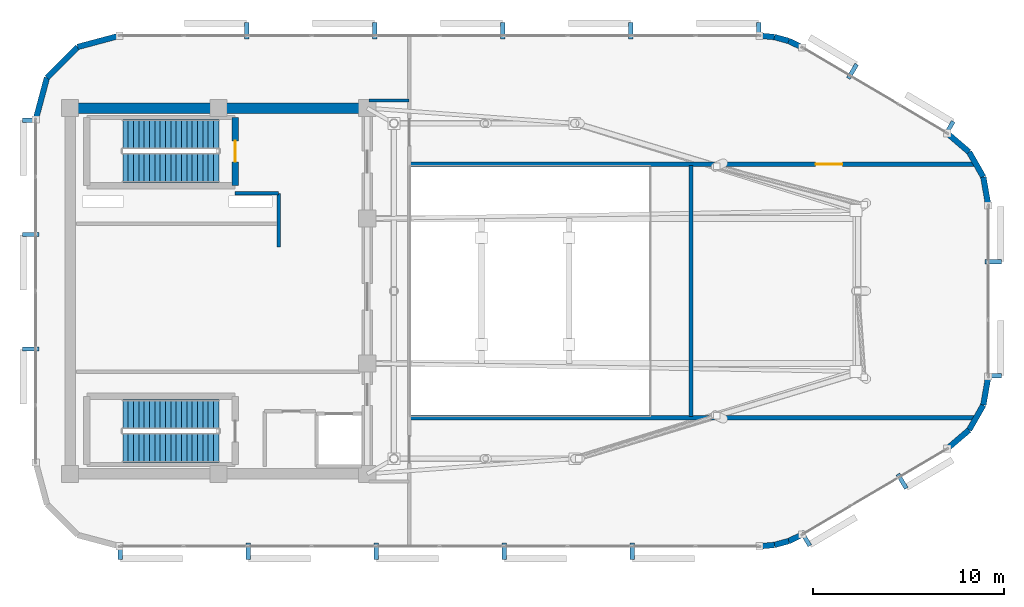
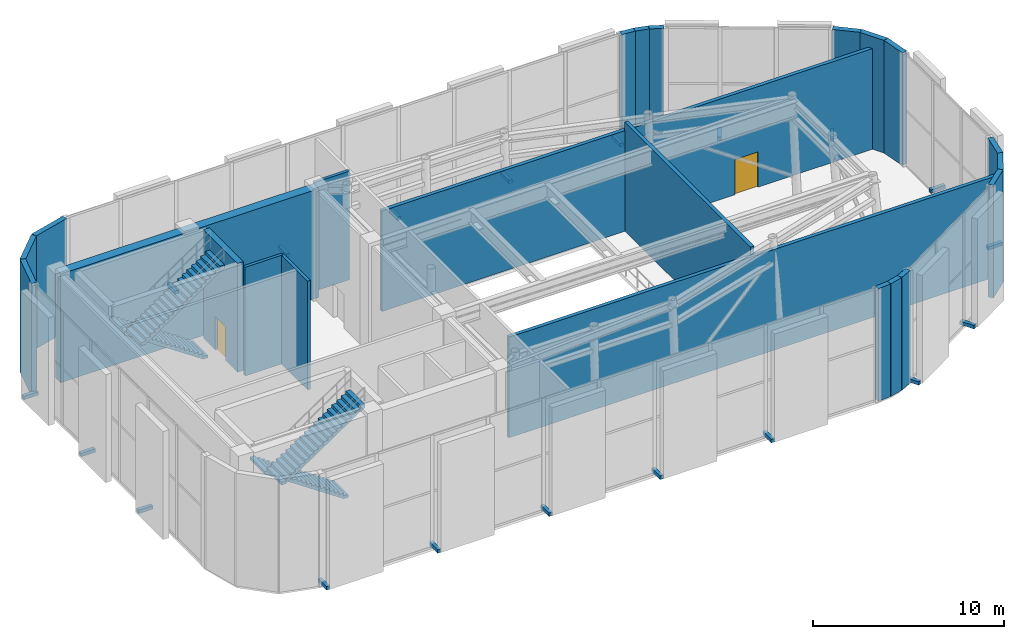
# One storey, part 18 of 20: 23 walls, 19 discrete accessories, 4 stair flights, 2 doors, 2 openings, 2 elements without a shape of their own.
"""IFC4 building model written with IfcOpenShell, lengths in metres."""

from ifc_helpers import new_model, si_unit, direction, frame, frame_2d, origin, origin_2d, place, context, subcontext, project, spatial, polyline, rectangle, outline, extrude, material, layer, layer_set, type_object, element, fill, aggregate, save


model = new_model("IFC4")

# Units and contexts
model_context = context("Model", 3, precision=1e-05, world=origin(), true_north=direction((0.0, 1.0)))
body_context = subcontext(model_context, "Body", "Model", "MODEL_VIEW")
ifc_project = project(units=[si_unit("LENGTHUNIT", "METRE"), si_unit("AREAUNIT", "SQUARE_METRE"), si_unit("VOLUMEUNIT", "CUBIC_METRE"), si_unit("PLANEANGLEUNIT", "RADIAN"), si_unit("MASSUNIT", "GRAM", prefix="KILO")], contexts=[model_context])

# Site, building, storey
site_placement = place(None, origin())
site = spatial("IfcSite", under=ifc_project, at=site_placement, CompositionType="ELEMENT")
building_placement = place(site_placement, origin())
building = spatial("IfcBuilding", under=site, at=building_placement, Name="An Khanh Terracotta Commons", CompositionType="ELEMENT")
storey_placement = place(building_placement, frame((0.0, 0.0, 308.0)))
storey = spatial("IfcBuildingStorey", under=building, at=storey_placement, Name="L79 Crown Damper Gallery", CompositionType="ELEMENT", Elevation=308.0)

# Walls
ifc_material_1 = material(Name="Concrete C50/60", Category="concrete")
ifc_layer_1 = layer(ifc_material_1, 0.550048828125, Name="Concrete C50/60")
ifc_layer_set_1 = layer_set([ifc_layer_1], Name="Concrete C50/60")
wall_type_1 = type_object("IfcWallType", Name="WALL-CORE-550", PredefinedType="SHEAR", material=ifc_layer_set_1)
wall_1_placement = place(storey_placement, frame((21.60009765625, 33.60009765625, 0.0), z_axis=(0.0, 0.0, 1.0), x_axis=(1.0, 0.0, 0.0)))
element("IfcWall", 1, at=wall_1_placement, inside=storey, type_object=wall_type_1, Name="L79 Crown Damper Gallery Core Wall CWALL-L79 Crown Damper Gallery-N", PredefinedType="SHEAR", context=body_context, shape_type="SweptSolid", body=[
    extrude(rectangle(XDim=15.599853515625, YDim=0.550048828125, at=frame_2d((7.7998046875, 0.0))), origin(), (0.0, 0.0, 1.0), 6.949951171875),
])
ifc_material_2 = material(Name="Fire-Rated Gypsum Board on Steel Stud", Category="steel")
ifc_layer_2 = layer(ifc_material_2, 0.179931640625, Name="Fire-Rated Gypsum Board on Steel Stud")
ifc_layer_set_2 = layer_set([ifc_layer_2], Name="Fire-Rated Gypsum Board on Steel Stud")
wall_type_2 = type_object("IfcWallType", Name="WALL-CORR-180", PredefinedType="PARTITIONING", material=ifc_layer_set_2)
wall_2_placement = place(storey_placement, frame((30.27001953125, 29.1201171875, 0.0), z_axis=(0.0, 0.0, 1.0), x_axis=(1.0, 0.0, 0.0)))
element("IfcWall", 2, at=wall_2_placement, inside=storey, type_object=wall_type_2, Name="L79 Crown Damper Gallery Core Wall FFLW-L79 Crown Damper Gallery-S", PredefinedType="PARTITIONING", context=body_context, shape_type="SweptSolid", body=[
    extrude(rectangle(XDim=2.280029296875, YDim=0.179931640625, at=frame_2d((1.14013671875, 0.0))), origin(), (0.0, 0.0, 1.0), 6.949951171875),
])
wall_3_placement = place(storey_placement, frame((32.550048828125, 26.300048828125, 0.0), z_axis=(0.0, 0.0, 1.0), x_axis=(0.0, 1.0, 0.0)))
element("IfcWall", 3, at=wall_3_placement, inside=storey, type_object=wall_type_2, Name="L79 Crown Damper Gallery Core Wall RSRW-L79 Crown Damper Gallery-E", PredefinedType="PARTITIONING", context=body_context, shape_type="SweptSolid", body=[
    extrude(rectangle(XDim=2.820068359375, YDim=0.179931640625, at=frame_2d((1.41015625, 0.0))), origin(), (0.0, 0.0, 1.0), 6.949951171875),
])
wall_4_placement = place(storey_placement, frame((37.300048828125, 34.0, 0.0), z_axis=(0.0, 0.0, 1.0), x_axis=(1.0, 0.0, 0.0)))
element("IfcWall", 4, at=wall_4_placement, inside=storey, type_object=wall_type_2, Name="L79 Crown Damper Gallery Interior Partition IW-L79 Crown Damper Gallery-E004", PredefinedType="PARTITIONING", context=body_context, shape_type="SweptSolid", body=[
    extrude(rectangle(XDim=2.099853515625, YDim=0.179931640625, at=frame_2d((1.0498046875, 0.0))), origin(), (0.0, 0.0, 1.0), 6.949951171875),
])
ifc_material_3 = material(Name="Precast concrete C40/50", Category="concrete")
ifc_layer_3 = layer(ifc_material_3, 0.300048828125, Name="Precast concrete C40/50")
ifc_layer_set_3 = layer_set([ifc_layer_3], Name="Precast concrete C40/50")
wall_type_3 = type_object("IfcWallType", Name="WALL-EXT-300", PredefinedType="SOLIDWALL", material=ifc_layer_set_3)
wall_5_placement = place(storey_placement, frame((57.7939453125, 10.60009765625, 0.0), z_axis=(0.0, 0.0, 1.0), x_axis=(0.996027356167, 0.089047772386, 0.0)))
element("IfcWall", 5, at=wall_5_placement, inside=storey, type_object=wall_type_3, Name="L79 Crown Damper Gallery Crown Facet Corner Closure 5", PredefinedType="SOLIDWALL", context=body_context, shape_type="SweptSolid", body=[
    extrude(rectangle(XDim=0.7841796875, YDim=0.300048828125, at=frame_2d((0.39208984375, 0.0))), origin(), (0.0, 0.0, 1.0), 7.199951171875),
])
wall_6_placement = place(storey_placement, frame((58.574951171875, 10.669921875, 0.0), z_axis=(0.0, 0.0, 1.0), x_axis=(0.964410376476, 0.264409957728, 0.0)))
element("IfcWall", 6, at=wall_6_placement, inside=storey, type_object=wall_type_3, Name="L79 Crown Damper Gallery Crown Facet Corner Closure 6", PredefinedType="SOLIDWALL", context=body_context, shape_type="SweptSolid", body=[
    extrude(rectangle(XDim=0.782958984375, YDim=0.300048828125, at=frame_2d((0.3916015625, 0.0))), origin(), (0.0, 0.0, 1.0), 7.199951171875),
])
wall_7_placement = place(storey_placement, frame((59.330078125, 10.876953125, 0.0), z_axis=(0.0, 0.0, 1.0), x_axis=(0.902139493314, 0.43144447453, 0.0)))
element("IfcWall", 7, at=wall_7_placement, inside=storey, type_object=wall_type_3, Name="L79 Crown Damper Gallery Crown Facet Corner Closure 7", PredefinedType="SOLIDWALL", context=body_context, shape_type="SweptSolid", body=[
    extrude(rectangle(XDim=0.78369140625, YDim=0.300048828125, at=frame_2d((0.391845703125, 0.0))), origin(), (0.0, 0.0, 1.0), 7.199951171875),
])
wall_8_placement = place(storey_placement, frame((67.64306640625, 15.721923828125, 0.0), z_axis=(0.0, 0.0, 1.0), x_axis=(0.76011105051, 0.649793190863, 0.0)))
element("IfcWall", 8, at=wall_8_placement, inside=storey, type_object=wall_type_3, Name="L79 Crown Damper Gallery Crown Facet Corner Closure 9", PredefinedType="SOLIDWALL", context=body_context, shape_type="SweptSolid", body=[
    extrude(rectangle(XDim=1.511474609375, YDim=0.300048828125, at=frame_2d((0.755859375, 0.0))), origin(), (0.0, 0.0, 1.0), 7.199951171875),
])
wall_9_placement = place(storey_placement, frame((68.7919921875, 16.7041015625, 0.0), z_axis=(0.0, 0.0, 1.0), x_axis=(0.494747166685, 0.869036961847, 0.0)))
element("IfcWall", 9, at=wall_9_placement, inside=storey, type_object=wall_type_3, Name="L79 Crown Damper Gallery Crown Facet Corner Closure 10", PredefinedType="SOLIDWALL", context=body_context, shape_type="SweptSolid", body=[
    extrude(rectangle(XDim=1.511962890625, YDim=0.300048828125, at=frame_2d((0.755859375, 0.0))), origin(), (0.0, 0.0, 1.0), 7.199951171875),
])
for number, where, z_axis, x_axis, name in (
    (10, (69.5400390625, 18.01806640625, 0.0), (0.0, 0.0, 1.0), (0.172015950979, 0.985094164336, 0.0), "L79 Crown Damper Gallery Crown Facet Corner Closure 11"),
    (11, (69.800048828125, 28.492919921875, 0.0), (0.0, 0.0, 1.0), (-0.172015950979, 0.985094164336, 0.0), "L79 Crown Damper Gallery Crown Facet Corner Closure 13"),
):
    element("IfcWall", number, at=place(storey_placement, frame(where, z_axis=z_axis, x_axis=x_axis)), inside=storey, type_object=wall_type_3, Name=name, PredefinedType="SOLIDWALL", context=body_context, shape_type="SweptSolid", body=[
        extrude(rectangle(XDim=1.511474609375, YDim=0.300048828125, at=frame_2d((0.755859375, 0.0))), origin(), (0.0, 0.0, 1.0), 7.199951171875),
    ])
wall_10_placement = place(storey_placement, frame((69.5400390625, 29.98193359375, 0.0), z_axis=(0.0, 0.0, 1.0), x_axis=(-0.494747166685, 0.869036961847, 0.0)))
element("IfcWall", 12, at=wall_10_placement, inside=storey, type_object=wall_type_3, Name="L79 Crown Damper Gallery Crown Facet Corner Closure 14", PredefinedType="SOLIDWALL", context=body_context, shape_type="SweptSolid", body=[
    extrude(rectangle(XDim=1.511962890625, YDim=0.300048828125, at=frame_2d((0.755859375, 0.0))), origin(), (0.0, 0.0, 1.0), 7.199951171875),
])
wall_11_placement = place(storey_placement, frame((68.7919921875, 31.2958984375, 0.0), z_axis=(0.0, 0.0, 1.0), x_axis=(-0.76011105051, 0.649793190863, 0.0)))
element("IfcWall", 13, at=wall_11_placement, inside=storey, type_object=wall_type_3, Name="L79 Crown Damper Gallery Crown Facet Corner Closure 15", PredefinedType="SOLIDWALL", context=body_context, shape_type="SweptSolid", body=[
    extrude(rectangle(XDim=1.511474609375, YDim=0.300048828125, at=frame_2d((0.755859375, 0.0))), origin(), (0.0, 0.0, 1.0), 7.199951171875),
])
wall_12_placement = place(storey_placement, frame((60.037109375, 36.784912109375, 0.0), z_axis=(0.0, 0.0, 1.0), x_axis=(-0.902139493314, 0.43144447453, 0.0)))
element("IfcWall", 14, at=wall_12_placement, inside=storey, type_object=wall_type_3, Name="L79 Crown Damper Gallery Crown Facet Corner Closure 17", PredefinedType="SOLIDWALL", context=body_context, shape_type="SweptSolid", body=[
    extrude(rectangle(XDim=0.78369140625, YDim=0.300048828125, at=frame_2d((0.391845703125, 0.0))), origin(), (0.0, 0.0, 1.0), 7.199951171875),
])
wall_13_placement = place(storey_placement, frame((59.330078125, 37.123046875, 0.0), z_axis=(0.0, 0.0, 1.0), x_axis=(-0.964410376476, 0.264409957728, 0.0)))
element("IfcWall", 15, at=wall_13_placement, inside=storey, type_object=wall_type_3, Name="L79 Crown Damper Gallery Crown Facet Corner Closure 18", PredefinedType="SOLIDWALL", context=body_context, shape_type="SweptSolid", body=[
    extrude(rectangle(XDim=0.782958984375, YDim=0.300048828125, at=frame_2d((0.3916015625, 0.0))), origin(), (0.0, 0.0, 1.0), 7.199951171875),
])
wall_14_placement = place(storey_placement, frame((58.574951171875, 37.330078125, 0.0), z_axis=(0.0, 0.0, 1.0), x_axis=(-0.996027356167, 0.089047772386, 0.0)))
element("IfcWall", 16, at=wall_14_placement, inside=storey, type_object=wall_type_3, Name="L79 Crown Damper Gallery Crown Facet Corner Closure 19", PredefinedType="SOLIDWALL", context=body_context, shape_type="SweptSolid", body=[
    extrude(rectangle(XDim=0.7841796875, YDim=0.300048828125, at=frame_2d((0.39208984375, 0.0))), origin(), (0.0, 0.0, 1.0), 7.199951171875),
])
wall_15_placement = place(storey_placement, frame((24.199951171875, 37.39990234375, 0.0), z_axis=(0.0, 0.0, 1.0), x_axis=(-0.965992531735, -0.258569968543, 0.0)))
element("IfcWall", 17, at=wall_15_placement, inside=storey, type_object=wall_type_3, Name="L79 Crown Damper Gallery Crown Facet Corner Closure 21", PredefinedType="SOLIDWALL", context=body_context, shape_type="SweptSolid", body=[
    extrude(rectangle(XDim=2.27734375, YDim=0.300048828125, at=frame_2d((1.138671875, 0.0))), origin(), (0.0, 0.0, 1.0), 7.199951171875),
])
wall_16_placement = place(storey_placement, frame((22.0, 36.81103515625, 0.0), z_axis=(0.0, 0.0, 1.0), x_axis=(-0.707106781187, -0.707106781187, 0.0)))
element("IfcWall", 18, at=wall_16_placement, inside=storey, type_object=wall_type_3, Name="L79 Crown Damper Gallery Crown Facet Corner Closure 22", PredefinedType="SOLIDWALL", context=body_context, shape_type="SweptSolid", body=[
    extrude(rectangle(XDim=2.2783203125, YDim=0.300048828125, at=frame_2d((1.13916015625, 0.0))), origin(), (0.0, 0.0, 1.0), 7.199951171875),
])
wall_17_placement = place(storey_placement, frame((20.388916015625, 35.199951171875, 0.0), z_axis=(0.0, 0.0, 1.0), x_axis=(-0.258569968543, -0.965992531735, 0.0)))
element("IfcWall", 19, at=wall_17_placement, inside=storey, type_object=wall_type_3, Name="L79 Crown Damper Gallery Crown Facet Corner Closure 23", PredefinedType="SOLIDWALL", context=body_context, shape_type="SweptSolid", body=[
    extrude(rectangle(XDim=2.27734375, YDim=0.300048828125, at=frame_2d((1.138671875, 0.0))), origin(), (0.0, 0.0, 1.0), 7.199951171875),
])
ifc_material_4 = material(Name="Acoustic Double-Stud Gypsum and Mineral Wool")
ifc_layer_4 = layer(ifc_material_4, 0.219970703125, Name="Acoustic Double-Stud Gypsum and Mineral Wool")
ifc_layer_set_4 = layer_set([ifc_layer_4], Name="Acoustic Double-Stud Gypsum and Mineral Wool")
wall_type_4 = type_object("IfcWallType", Name="WALL-PARTY-220", PredefinedType="PARTITIONING", material=ifc_layer_set_4)
wall_18_placement = place(storey_placement, frame((39.39990234375, 17.35009765625, 0.0), z_axis=(0.0, 0.0, 1.0), x_axis=(1.0, 0.0, 0.0)))
element("IfcWall", 20, at=wall_18_placement, inside=storey, type_object=wall_type_4, Name="L79 Crown Damper Gallery Interior Partition IW-L79 Crown Damper Gallery-E002", PredefinedType="PARTITIONING", context=body_context, shape_type="SweptSolid", body=[
    extrude(rectangle(XDim=29.7880859375, YDim=0.219970703125, at=frame_2d((14.89404296875, 0.0))), origin(), (0.0, 0.0, 1.0), 6.431884765625),
])

# Wall, opening, door
wall_19_placement = place(storey_placement, frame((39.39990234375, 30.64990234375, 0.0), z_axis=(0.0, 0.0, 1.0), x_axis=(1.0, 0.0, 0.0)))
wall_19 = element("IfcWall", 21, at=wall_19_placement, inside=storey, type_object=wall_type_4, Name="L79 Crown Damper Gallery Interior Partition IW-L79 Crown Damper Gallery-E003", PredefinedType="PARTITIONING", context=body_context, shape_type="SweptSolid", body=[
    extrude(rectangle(XDim=29.7880859375, YDim=0.219970703125, at=frame_2d((14.89404296875, 0.0))), origin(), (0.0, 0.0, 1.0), 6.431884765625),
])
opening_1_placement = place(wall_19_placement, frame((21.3359375, 0.0, 0.0)))
opening_1 = element("IfcOpeningElement", 22, at=opening_1_placement, cuts=wall_19, Name="Opening D-PL", PredefinedType="OPENING", context=body_context, shape_type="SweptSolid", body=[
    extrude(rectangle(XDim=1.39990234375, YDim=2.25, at=frame_2d((0.699951171875, 1.125))), frame((0.0, 0.119873046875, 0.0), z_axis=(0.0, -1.0, 0.0), x_axis=(1.0, 0.0, 0.0)), (0.0, 0.0, 1.0), 0.239990234375),
])
ifc_material_5 = material(Name="Heavy-Duty Acoustic Steel Double Plant Door", Category="steel")
door_type_1 = type_object("IfcDoorType", Name="DOOR-PLANT-1400", OperationType="NOTDEFINED", PredefinedType="DOOR", material=ifc_material_5)
door_1_placement = place(opening_1_placement, origin())
door_1 = element("IfcDoor", 23, at=door_1_placement, inside=storey, type_object=door_type_1, Name="L79 Crown Damper Gallery GALE Hydraulic Booster Pump Plant Room Door", OperationType="DOUBLE_DOOR_SINGLE_SWING", OverallHeight=2.25, OverallWidth=1.39990234375, PredefinedType="DOOR", context=body_context, shape_type="SweptSolid", body=[
    extrude(rectangle(XDim=1.39990234375, YDim=2.25, at=frame_2d((0.699951171875, 1.125))), frame((0.0, 0.02490234375, 0.0), z_axis=(0.0, -1.0, 0.0), x_axis=(1.0, 0.0, 0.0)), (0.0, 0.0, 1.0), 0.050048828125),
])
fill(opening_1, door_1)

# Wall
wall_20_placement = place(storey_placement, frame((54.199951171875, 17.39990234375, 0.0), z_axis=(0.0, 0.0, 1.0), x_axis=(0.0, 1.0, 0.0)))
element("IfcWall", 24, at=wall_20_placement, inside=storey, type_object=wall_type_4, Name="L79 Crown Damper Gallery Interior Partition IW-L79 Crown Damper Gallery-E006", PredefinedType="PARTITIONING", context=body_context, shape_type="SweptSolid", body=[
    extrude(rectangle(XDim=13.2001953125, YDim=0.219970703125, at=frame_2d((6.60009765625, 0.0))), origin(), (0.0, 0.0, 1.0), 6.949951171875),
])

# Wall, opening, door
ifc_layer_5 = layer(ifc_material_1, 0.35009765625, Name="Concrete C50/60")
ifc_layer_set_5 = layer_set([ifc_layer_5], Name="Concrete C50/60")
wall_type_5 = type_object("IfcWallType", Name="WALL-SHAFT-350", PredefinedType="SOLIDWALL", material=ifc_layer_set_5)
wall_21_placement = place(storey_placement, frame((30.27001953125, 29.530029296875, 0.0), z_axis=(0.0, 0.0, 1.0), x_axis=(0.0, 1.0, 0.0)))
wall_21 = element("IfcWall", 25, at=wall_21_placement, inside=storey, type_object=wall_type_5, Name="L79 Crown Damper Gallery Core Wall STW-L79 Crown Damper Gallery-N-E", PredefinedType="SOLIDWALL", context=body_context, shape_type="SweptSolid", body=[
    extrude(rectangle(XDim=3.580078125, YDim=0.35009765625, at=frame_2d((1.7900390625, 0.0))), origin(), (0.0, 0.0, 1.0), 6.949951171875),
])
opening_2_placement = place(wall_21_placement, frame((1.25, 0.0, 0.0)))
opening_2 = element("IfcOpeningElement", 26, at=opening_2_placement, cuts=wall_21, Name="Opening D-ST", PredefinedType="OPENING", context=body_context, shape_type="SweptSolid", body=[
    extrude(rectangle(XDim=1.10009765625, YDim=2.14990234375, at=frame_2d((0.550048828125, 1.074951171875))), frame((0.0, 0.18505859375, 0.0), z_axis=(0.0, -1.0, 0.0), x_axis=(1.0, 0.0, 0.0)), (0.0, 0.0, 1.0), 0.3701171875),
])
ifc_material_6 = material(Name="Fire-Rated Steel Leaf and Frame", Category="steel")
door_type_2 = type_object("IfcDoorType", Name="DOOR-STAIR-1100", OperationType="NOTDEFINED", PredefinedType="DOOR", material=ifc_material_6)
door_2_placement = place(opening_2_placement, origin())
door_2 = element("IfcDoor", 27, at=door_2_placement, inside=storey, type_object=door_type_2, Name="L79 Crown Damper Gallery Stair ST-01 Fire Door", OperationType="SINGLE_SWING_RIGHT", OverallHeight=2.14990234375, OverallWidth=1.10009765625, PredefinedType="DOOR", context=body_context, shape_type="SweptSolid", body=[
    extrude(rectangle(XDim=1.10009765625, YDim=2.14990234375, at=frame_2d((0.550048828125, 1.074951171875))), frame((0.0, 0.02490234375, 0.0), z_axis=(0.0, -1.0, 0.0), x_axis=(1.0, 0.0, 0.0)), (0.0, 0.0, 1.0), 0.050048828125),
])
fill(opening_2, door_2)

# Stair, stair flights
stair_type = type_object("IfcStairType", Name="STAIR-CORE-1550", PredefinedType="HALF_TURN_STAIR", material=ifc_material_3)
stair_1_placement = place(storey_placement, origin())
stair_1 = element("IfcStair", 28, at=stair_1_placement, inside=storey, type_object=stair_type, Name="L79 Crown Damper Gallery Core Smokeproof Exit Stair ST-01", PredefinedType="HALF_TURN_STAIR")
stair_flight_type = type_object("IfcStairFlightType", Name="FLIGHT-CORE-1550", PredefinedType="STRAIGHT", material=ifc_material_3)
stair_flight_1_placement = place(storey_placement, frame((29.409912109375, 32.22509765625, 0.0), z_axis=(0.0, 0.0, 1.0), x_axis=(-1.0, 0.0, 0.0)))
stair_flight_1 = element("IfcStairFlight", 29, at=stair_flight_1_placement, type_object=stair_flight_type, Name="ST-01 flight 1", NumberOfRisers=19, NumberOfTreads=18, PredefinedType="STRAIGHT", RiserHeight=0.189473684, TreadLength=0.28, context=body_context, shape_type="SweptSolid", body=[
    extrude(outline(polyline([(0.0, 0.0), (0.0, 0.189453125), (0.280029296875, 0.189453125), (0.280029296875, 0.37890625), (0.56005859375, 0.37890625), (0.56005859375, 0.568359375), (0.840087890625, 0.568359375), (0.840087890625, 0.7578125), (1.1201171875, 0.7578125), (1.1201171875, 0.947265625), (1.39990234375, 0.947265625), (1.39990234375, 1.136962890625), (1.679931640625, 1.136962890625), (1.679931640625, 1.326416015625), (1.9599609375, 1.326416015625), (1.9599609375, 1.515869140625), (2.239990234375, 1.515869140625), (2.239990234375, 1.705322265625), (2.52001953125, 1.705322265625), (2.52001953125, 1.894775390625), (2.800048828125, 1.894775390625), (2.800048828125, 2.084228515625), (3.080078125, 2.084228515625), (3.080078125, 2.273681640625), (3.360107421875, 2.273681640625), (3.360107421875, 2.463134765625), (3.639892578125, 2.463134765625), (3.639892578125, 2.652587890625), (3.919921875, 2.652587890625), (3.919921875, 2.842041015625), (4.199951171875, 2.842041015625), (4.199951171875, 3.031494140625), (4.47998046875, 3.031494140625), (4.47998046875, 3.220947265625), (4.760009765625, 3.220947265625), (4.760009765625, 3.41064453125), (5.0400390625, 3.41064453125), (5.0400390625, 3.60009765625), (5.0400390625, 3.2294921875), (0.267578125, 0.0), (0.0, 0.0)])), frame((0.0, 0.77490234375, 0.0), z_axis=(0.0, -1.0, 0.0), x_axis=(1.0, 0.0, 0.0)), (0.0, 0.0, 1.0), 1.550048828125),
])
stair_flight_2_placement = place(storey_placement, frame((24.3701171875, 30.47509765625, 3.60009765625), z_axis=(0.0, 0.0, 1.0), x_axis=(1.0, 0.0, 0.0)))
stair_flight_2 = element("IfcStairFlight", 30, at=stair_flight_2_placement, type_object=stair_flight_type, Name="ST-01 flight 2", NumberOfRisers=19, NumberOfTreads=18, PredefinedType="STRAIGHT", RiserHeight=0.189473684, TreadLength=0.28, context=body_context, shape_type="SweptSolid", body=[
    extrude(outline(polyline([(0.0, 0.0), (0.0, 0.189453125), (0.280029296875, 0.189453125), (0.280029296875, 0.37890625), (0.56005859375, 0.37890625), (0.56005859375, 0.568359375), (0.840087890625, 0.568359375), (0.840087890625, 0.7578125), (1.1201171875, 0.7578125), (1.1201171875, 0.947265625), (1.39990234375, 0.947265625), (1.39990234375, 1.136962890625), (1.679931640625, 1.136962890625), (1.679931640625, 1.326416015625), (1.9599609375, 1.326416015625), (1.9599609375, 1.515869140625), (2.239990234375, 1.515869140625), (2.239990234375, 1.705322265625), (2.52001953125, 1.705322265625), (2.52001953125, 1.894775390625), (2.800048828125, 1.894775390625), (2.800048828125, 2.084228515625), (3.080078125, 2.084228515625), (3.080078125, 2.273681640625), (3.360107421875, 2.273681640625), (3.360107421875, 2.463134765625), (3.639892578125, 2.463134765625), (3.639892578125, 2.652587890625), (3.919921875, 2.652587890625), (3.919921875, 2.842041015625), (4.199951171875, 2.842041015625), (4.199951171875, 3.031494140625), (4.47998046875, 3.031494140625), (4.47998046875, 3.220947265625), (4.760009765625, 3.220947265625), (4.760009765625, 3.41064453125), (5.0400390625, 3.41064453125), (5.0400390625, 3.60009765625), (5.0400390625, 3.2294921875), (0.267578125, 0.0), (0.0, 0.0)])), frame((0.0, 0.77490234375, 0.0), z_axis=(0.0, -1.0, 0.0), x_axis=(1.0, 0.0, 0.0)), (0.0, 0.0, 1.0), 1.550048828125),
])
aggregate(stair_1, [stair_flight_1, stair_flight_2])

stair_2_placement = place(storey_placement, origin())
stair_2 = element("IfcStair", 31, at=stair_2_placement, inside=storey, type_object=stair_type, Name="L79 Crown Damper Gallery Core Smokeproof Exit Stair ST-02", PredefinedType="HALF_TURN_STAIR")
stair_flight_3_placement = place(storey_placement, frame((29.409912109375, 17.52490234375, 0.0), z_axis=(0.0, 0.0, 1.0), x_axis=(-1.0, 0.0, 0.0)))
stair_flight_3 = element("IfcStairFlight", 32, at=stair_flight_3_placement, type_object=stair_flight_type, Name="ST-02 flight 1", NumberOfRisers=19, NumberOfTreads=18, PredefinedType="STRAIGHT", RiserHeight=0.189473684, TreadLength=0.28, context=body_context, shape_type="SweptSolid", body=[
    extrude(outline(polyline([(0.0, 0.0), (0.0, 0.189453125), (0.280029296875, 0.189453125), (0.280029296875, 0.37890625), (0.56005859375, 0.37890625), (0.56005859375, 0.568359375), (0.840087890625, 0.568359375), (0.840087890625, 0.7578125), (1.1201171875, 0.7578125), (1.1201171875, 0.947265625), (1.39990234375, 0.947265625), (1.39990234375, 1.136962890625), (1.679931640625, 1.136962890625), (1.679931640625, 1.326416015625), (1.9599609375, 1.326416015625), (1.9599609375, 1.515869140625), (2.239990234375, 1.515869140625), (2.239990234375, 1.705322265625), (2.52001953125, 1.705322265625), (2.52001953125, 1.894775390625), (2.800048828125, 1.894775390625), (2.800048828125, 2.084228515625), (3.080078125, 2.084228515625), (3.080078125, 2.273681640625), (3.360107421875, 2.273681640625), (3.360107421875, 2.463134765625), (3.639892578125, 2.463134765625), (3.639892578125, 2.652587890625), (3.919921875, 2.652587890625), (3.919921875, 2.842041015625), (4.199951171875, 2.842041015625), (4.199951171875, 3.031494140625), (4.47998046875, 3.031494140625), (4.47998046875, 3.220947265625), (4.760009765625, 3.220947265625), (4.760009765625, 3.41064453125), (5.0400390625, 3.41064453125), (5.0400390625, 3.60009765625), (5.0400390625, 3.2294921875), (0.267578125, 0.0), (0.0, 0.0)])), frame((0.0, 0.77490234375, 0.0), z_axis=(0.0, -1.0, 0.0), x_axis=(1.0, 0.0, 0.0)), (0.0, 0.0, 1.0), 1.550048828125),
])
stair_flight_4_placement = place(storey_placement, frame((24.3701171875, 15.77490234375, 3.60009765625), z_axis=(0.0, 0.0, 1.0), x_axis=(1.0, 0.0, 0.0)))
stair_flight_4 = element("IfcStairFlight", 33, at=stair_flight_4_placement, type_object=stair_flight_type, Name="ST-02 flight 2", NumberOfRisers=19, NumberOfTreads=18, PredefinedType="STRAIGHT", RiserHeight=0.189473684, TreadLength=0.28, context=body_context, shape_type="SweptSolid", body=[
    extrude(outline(polyline([(0.0, 0.0), (0.0, 0.189453125), (0.280029296875, 0.189453125), (0.280029296875, 0.37890625), (0.56005859375, 0.37890625), (0.56005859375, 0.568359375), (0.840087890625, 0.568359375), (0.840087890625, 0.7578125), (1.1201171875, 0.7578125), (1.1201171875, 0.947265625), (1.39990234375, 0.947265625), (1.39990234375, 1.136962890625), (1.679931640625, 1.136962890625), (1.679931640625, 1.326416015625), (1.9599609375, 1.326416015625), (1.9599609375, 1.515869140625), (2.239990234375, 1.515869140625), (2.239990234375, 1.705322265625), (2.52001953125, 1.705322265625), (2.52001953125, 1.894775390625), (2.800048828125, 1.894775390625), (2.800048828125, 2.084228515625), (3.080078125, 2.084228515625), (3.080078125, 2.273681640625), (3.360107421875, 2.273681640625), (3.360107421875, 2.463134765625), (3.639892578125, 2.463134765625), (3.639892578125, 2.652587890625), (3.919921875, 2.652587890625), (3.919921875, 2.842041015625), (4.199951171875, 2.842041015625), (4.199951171875, 3.031494140625), (4.47998046875, 3.031494140625), (4.47998046875, 3.220947265625), (4.760009765625, 3.220947265625), (4.760009765625, 3.41064453125), (5.0400390625, 3.41064453125), (5.0400390625, 3.60009765625), (5.0400390625, 3.2294921875), (0.267578125, 0.0), (0.0, 0.0)])), frame((0.0, 0.77490234375, 0.0), z_axis=(0.0, -1.0, 0.0), x_axis=(1.0, 0.0, 0.0)), (0.0, 0.0, 1.0), 1.550048828125),
])
aggregate(stair_2, [stair_flight_3, stair_flight_4])

# Discrete accessories
ifc_material_7 = material(Name="Stainless Steel Grade 316L", Category="steel")
discrete_accessory_type = type_object("IfcDiscreteAccessoryType", Name="Stainless Outrigger Facade Bracket", PredefinedType="BRACKET", material=ifc_material_7)
for number, where, z_axis, x_axis, name in (
    (34, (24.239990234375, 10.3349609375, 0.06982421875), (0.0, 0.0, 1.0), (1.0, 0.0, 0.0), "L79 Crown Damper Gallery Terracotta Screen Outrigger Bracket 1"),
    (35, (30.958984375, 10.3349609375, 0.06982421875), (0.0, 0.0, 1.0), (1.0, 0.0, 0.0), "L79 Crown Damper Gallery Terracotta Screen Outrigger Bracket 3"),
    (36, (37.677978515625, 10.3349609375, 0.06982421875), (0.0, 0.0, 1.0), (1.0, 0.0, 0.0), "L79 Crown Damper Gallery Terracotta Screen Outrigger Bracket 5"),
    (37, (44.39599609375, 10.3349609375, 0.06982421875), (0.0, 0.0, 1.0), (1.0, 0.0, 0.0), "L79 Crown Damper Gallery Terracotta Screen Outrigger Bracket 7"),
    (38, (51.114990234375, 10.3349609375, 0.06982421875), (0.0, 0.0, 1.0), (1.0, 0.0, 0.0), "L79 Crown Damper Gallery Terracotta Screen Outrigger Bracket 9"),
    (39, (60.20703125, 11.007080078125, 0.06982421875), (0.0, 0.0, 1.0), (0.860304394443, 0.509780687063, 0.0), "L79 Crown Damper Gallery Terracotta Screen Outrigger Bracket 1"),
    (40, (65.277099609375, 14.011962890625, 0.06982421875), (0.0, 0.0, 1.0), (0.860304394443, 0.509780687063, 0.0), "L79 Crown Damper Gallery Terracotta Screen Outrigger Bracket 3"),
    (41, (70.06494140625, 19.547119140625, 0.06982421875), (0.0, 0.0, 1.0), (0.0, 1.0, 0.0), "L79 Crown Damper Gallery Terracotta Screen Outrigger Bracket 1"),
    (42, (70.06494140625, 25.5380859375, 0.06982421875), (0.0, 0.0, 1.0), (0.0, 1.0, 0.0), "L79 Crown Damper Gallery Terracotta Screen Outrigger Bracket 3"),
    (43, (67.743896484375, 32.52587890625, 0.06982421875), (0.0, 0.0, 1.0), (-0.860304394443, 0.509780687063, 0.0), "L79 Crown Damper Gallery Terracotta Screen Outrigger Bracket 1"),
    (44, (62.673095703125, 35.531005859375, 0.06982421875), (0.0, 0.0, 1.0), (-0.860304394443, 0.509780687063, 0.0), "L79 Crown Damper Gallery Terracotta Screen Outrigger Bracket 3"),
    (45, (57.75390625, 37.6650390625, 0.06982421875), (0.0, 0.0, 1.0), (-1.0, 0.0, 0.0), "L79 Crown Damper Gallery Terracotta Screen Outrigger Bracket 1"),
    (46, (51.034912109375, 37.6650390625, 0.06982421875), (0.0, 0.0, 1.0), (-1.0, 0.0, 0.0), "L79 Crown Damper Gallery Terracotta Screen Outrigger Bracket 3"),
    (47, (44.31591796875, 37.6650390625, 0.06982421875), (0.0, 0.0, 1.0), (-1.0, 0.0, 0.0), "L79 Crown Damper Gallery Terracotta Screen Outrigger Bracket 5"),
    (48, (37.597900390625, 37.6650390625, 0.06982421875), (0.0, 0.0, 1.0), (-1.0, 0.0, 0.0), "L79 Crown Damper Gallery Terracotta Screen Outrigger Bracket 7"),
    (49, (30.87890625, 37.6650390625, 0.06982421875), (0.0, 0.0, 1.0), (-1.0, 0.0, 0.0), "L79 Crown Damper Gallery Terracotta Screen Outrigger Bracket 9"),
    (50, (19.534912109375, 32.9599609375, 0.06982421875), (0.0, 0.0, 1.0), (0.0, -1.0, 0.0), "L79 Crown Damper Gallery Terracotta Screen Outrigger Bracket 1"),
    (51, (19.534912109375, 26.9599609375, 0.06982421875), (0.0, 0.0, 1.0), (0.0, -1.0, 0.0), "L79 Crown Damper Gallery Terracotta Screen Outrigger Bracket 3"),
    (52, (19.534912109375, 20.9599609375, 0.06982421875), (0.0, 0.0, 1.0), (0.0, -1.0, 0.0), "L79 Crown Damper Gallery Terracotta Screen Outrigger Bracket 5"),
):
    element("IfcDiscreteAccessory", number, at=place(storey_placement, frame(where, z_axis=z_axis, x_axis=x_axis)), inside=storey, type_object=discrete_accessory_type, Name=name, PredefinedType="BRACKET", context=body_context, shape_type="SweptSolid", body=[
        extrude(rectangle(XDim=0.219970703125, YDim=0.8701171875, at=origin_2d()), origin(), (0.0, 0.0, 1.0), 0.219970703125),
    ])

save(model, "model.ifc")
